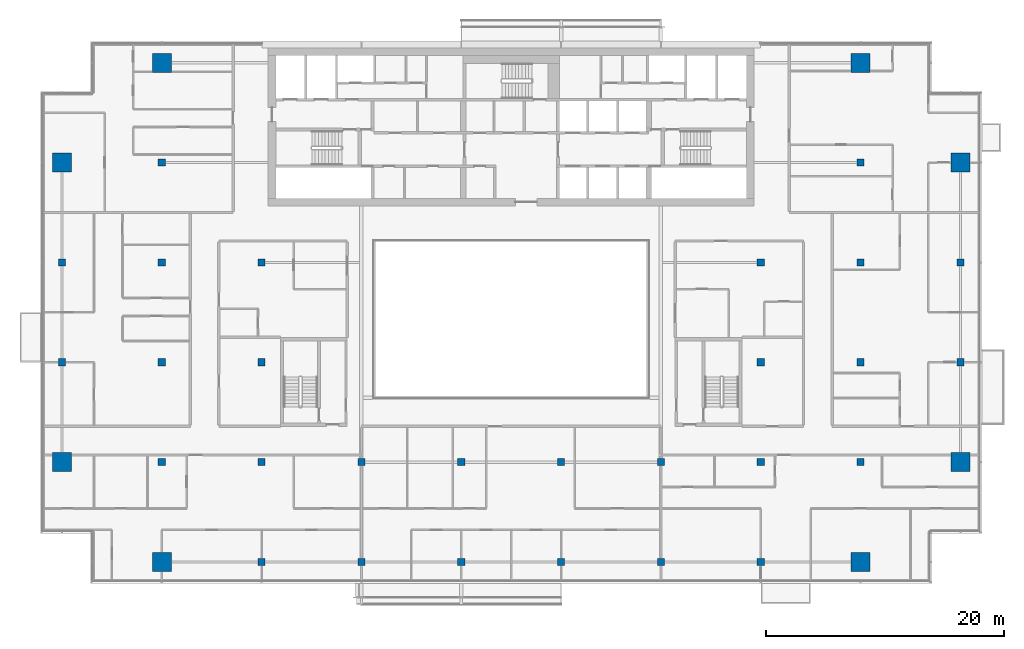
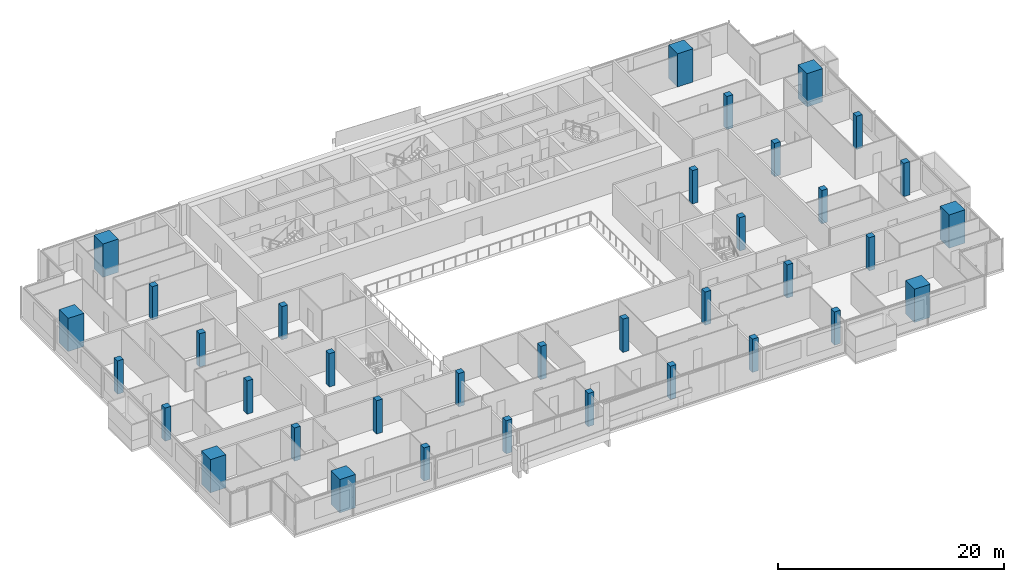
# One storey, part 1 of 26: 36 columns.
"""IFC4 building model written with IfcOpenShell, lengths in metres."""

from ifc_helpers import new_model, si_unit, direction, frame, origin, origin_2d, place, context, subcontext, project, spatial, rectangle, extrude, material, material_profile, profile_set, type_object, element, save


model = new_model("IFC4")

# Units and contexts
model_context = context("Model", 3, precision=1e-05, world=origin(), true_north=direction((0.0, 1.0)))
body_context = subcontext(model_context, "Body", "Model", "MODEL_VIEW")
ifc_project = project(units=[si_unit("LENGTHUNIT", "METRE"), si_unit("AREAUNIT", "SQUARE_METRE"), si_unit("VOLUMEUNIT", "CUBIC_METRE"), si_unit("PLANEANGLEUNIT", "RADIAN"), si_unit("MASSUNIT", "GRAM", prefix="KILO")], contexts=[model_context])

# Site, building, storey
site_placement = place(None, origin())
site = spatial("IfcSite", under=ifc_project, at=site_placement, CompositionType="ELEMENT")
building_placement = place(site_placement, origin())
building = spatial("IfcBuilding", under=site, at=building_placement, Name="Saffron Gate Tower", CompositionType="ELEMENT")
storey_placement = place(building_placement, frame((0.0, 0.0, 230.699951171875)))
storey = spatial("IfcBuildingStorey", under=building, at=storey_placement, Name="L56", CompositionType="ELEMENT", Elevation=230.699951171875)

# Columns
ifc_material_1 = material(Name="Concrete C50", Category="concrete")
ifc_material_profile_1 = material_profile(ifc_material_1, rectangle(XDim=0.60009765625, YDim=0.60009765625, at=origin_2d()))
ifc_profile_set_1 = profile_set([ifc_material_profile_1], Name="Concrete C50")
column_type_1 = type_object("IfcColumnType", Name="C2 RC 600x600 CONCRETE C50", PredefinedType="COLUMN", material=ifc_profile_set_1)
for number, where, z_axis, x_axis, name in (
    (1, (49.800048828125, 48.60009765625, 0.0), (0.0, 0.0, 1.0), (1.0, 0.0, 0.0), "C2 COLUMN X1-C"),
    (2, (49.800048828125, 57.0, 0.0), (0.0, 0.0, 1.0), (1.0, 0.0, 0.0), "C2 COLUMN X1-D"),
    (3, (58.199951171875, 40.199951171875, 0.0), (0.0, 0.0, 1.0), (1.0, 0.0, 0.0), "C2 COLUMN X2-B"),
    (4, (58.199951171875, 48.60009765625, 0.0), (0.0, 0.0, 1.0), (1.0, 0.0, 0.0), "C2 COLUMN X2-C"),
    (5, (58.199951171875, 57.0, 0.0), (0.0, 0.0, 1.0), (1.0, 0.0, 0.0), "C2 COLUMN X2-D"),
    (6, (58.199951171875, 65.39990234375, 0.0), (0.0, 0.0, 1.0), (1.0, 0.0, 0.0), "C2 COLUMN X2-E"),
    (7, (66.60009765625, 31.800048828125, 0.0), (0.0, 0.0, 1.0), (1.0, 0.0, 0.0), "C2 COLUMN X3-A"),
    (8, (66.60009765625, 40.199951171875, 0.0), (0.0, 0.0, 1.0), (1.0, 0.0, 0.0), "C2 COLUMN X3-B"),
    (9, (66.60009765625, 48.60009765625, 0.0), (0.0, 0.0, 1.0), (1.0, 0.0, 0.0), "C2 COLUMN X3-C"),
    (10, (66.60009765625, 57.0, 0.0), (0.0, 0.0, 1.0), (1.0, 0.0, 0.0), "C2 COLUMN X3-D"),
    (11, (75.0, 31.800048828125, 0.0), (0.0, 0.0, 1.0), (1.0, 0.0, 0.0), "C2 COLUMN X4-A"),
    (12, (75.0, 40.199951171875, 0.0), (0.0, 0.0, 1.0), (1.0, 0.0, 0.0), "C2 COLUMN X4-B"),
    (13, (83.39990234375, 31.800048828125, 0.0), (0.0, 0.0, 1.0), (1.0, 0.0, 0.0), "C2 COLUMN X5-A"),
    (14, (83.39990234375, 40.199951171875, 0.0), (0.0, 0.0, 1.0), (1.0, 0.0, 0.0), "C2 COLUMN X5-B"),
    (15, (91.800048828125, 31.800048828125, 0.0), (0.0, 0.0, 1.0), (1.0, 0.0, 0.0), "C2 COLUMN X6-A"),
    (16, (91.800048828125, 40.199951171875, 0.0), (0.0, 0.0, 1.0), (1.0, 0.0, 0.0), "C2 COLUMN X6-B"),
    (17, (100.199951171875, 31.800048828125, 0.0), (0.0, 0.0, 1.0), (1.0, 0.0, 0.0), "C2 COLUMN X7-A"),
    (18, (100.199951171875, 40.199951171875, 0.0), (0.0, 0.0, 1.0), (1.0, 0.0, 0.0), "C2 COLUMN X7-B"),
    (19, (108.60009765625, 31.800048828125, 0.0), (0.0, 0.0, 1.0), (1.0, 0.0, 0.0), "C2 COLUMN X8-A"),
    (20, (108.60009765625, 40.199951171875, 0.0), (0.0, 0.0, 1.0), (1.0, 0.0, 0.0), "C2 COLUMN X8-B"),
    (21, (108.60009765625, 48.60009765625, 0.0), (0.0, 0.0, 1.0), (1.0, 0.0, 0.0), "C2 COLUMN X8-C"),
    (22, (108.60009765625, 57.0, 0.0), (0.0, 0.0, 1.0), (1.0, 0.0, 0.0), "C2 COLUMN X8-D"),
    (23, (117.0, 40.199951171875, 0.0), (0.0, 0.0, 1.0), (1.0, 0.0, 0.0), "C2 COLUMN X9-B"),
    (24, (117.0, 48.60009765625, 0.0), (0.0, 0.0, 1.0), (1.0, 0.0, 0.0), "C2 COLUMN X9-C"),
    (25, (117.0, 57.0, 0.0), (0.0, 0.0, 1.0), (1.0, 0.0, 0.0), "C2 COLUMN X9-D"),
    (26, (117.0, 65.39990234375, 0.0), (0.0, 0.0, 1.0), (1.0, 0.0, 0.0), "C2 COLUMN X9-E"),
    (27, (125.39990234375, 48.60009765625, 0.0), (0.0, 0.0, 1.0), (1.0, 0.0, 0.0), "C2 COLUMN X10-C"),
    (28, (125.39990234375, 57.0, 0.0), (0.0, 0.0, 1.0), (1.0, 0.0, 0.0), "C2 COLUMN X10-D"),
):
    element("IfcColumn", number, at=place(storey_placement, frame(where, z_axis=z_axis, x_axis=x_axis)), inside=storey, type_object=column_type_1, Name=name, PredefinedType="COLUMN", context=body_context, shape_type="SweptSolid", body=[
        extrude(rectangle(XDim=0.60009765625, YDim=0.60009765625, at=origin_2d()), origin(), (0.0, 0.0, 1.0), 3.60009765625),
    ])
ifc_material_2 = material(Name="Concrete C70", Category="concrete")
ifc_material_profile_2 = material_profile(ifc_material_2, rectangle(XDim=1.60009765625, YDim=1.60009765625, at=origin_2d()))
ifc_profile_set_2 = profile_set([ifc_material_profile_2], Name="Concrete C70")
column_type_2 = type_object("IfcColumnType", Name="MC1 RC 1600x1600 CONCRETE C70", PredefinedType="COLUMN", material=ifc_profile_set_2)
for number, where, z_axis, x_axis, name in (
    (29, (49.800048828125, 40.199951171875, 0.0), (0.0, 0.0, 1.0), (1.0, 0.0, 0.0), "MC1 MEGA COLUMN X1-B"),
    (30, (49.800048828125, 65.39990234375, 0.0), (0.0, 0.0, 1.0), (1.0, 0.0, 0.0), "MC1 MEGA COLUMN X1-E"),
    (31, (58.199951171875, 31.800048828125, 0.0), (0.0, 0.0, 1.0), (1.0, 0.0, 0.0), "MC1 MEGA COLUMN X2-A"),
    (32, (58.199951171875, 73.800048828125, 0.0), (0.0, 0.0, 1.0), (1.0, 0.0, 0.0), "MC1 MEGA COLUMN X2-F"),
    (33, (117.0, 31.800048828125, 0.0), (0.0, 0.0, 1.0), (1.0, 0.0, 0.0), "MC1 MEGA COLUMN X9-A"),
    (34, (117.0, 73.800048828125, 0.0), (0.0, 0.0, 1.0), (1.0, 0.0, 0.0), "MC1 MEGA COLUMN X9-F"),
    (35, (125.39990234375, 40.199951171875, 0.0), (0.0, 0.0, 1.0), (1.0, 0.0, 0.0), "MC1 MEGA COLUMN X10-B"),
    (36, (125.39990234375, 65.39990234375, 0.0), (0.0, 0.0, 1.0), (1.0, 0.0, 0.0), "MC1 MEGA COLUMN X10-E"),
):
    element("IfcColumn", number, at=place(storey_placement, frame(where, z_axis=z_axis, x_axis=x_axis)), inside=storey, type_object=column_type_2, Name=name, PredefinedType="COLUMN", context=body_context, shape_type="SweptSolid", body=[
        extrude(rectangle(XDim=1.60009765625, YDim=1.60009765625, at=origin_2d()), origin(), (0.0, 0.0, 1.0), 3.60009765625),
    ])

save(model, "model.ifc")
